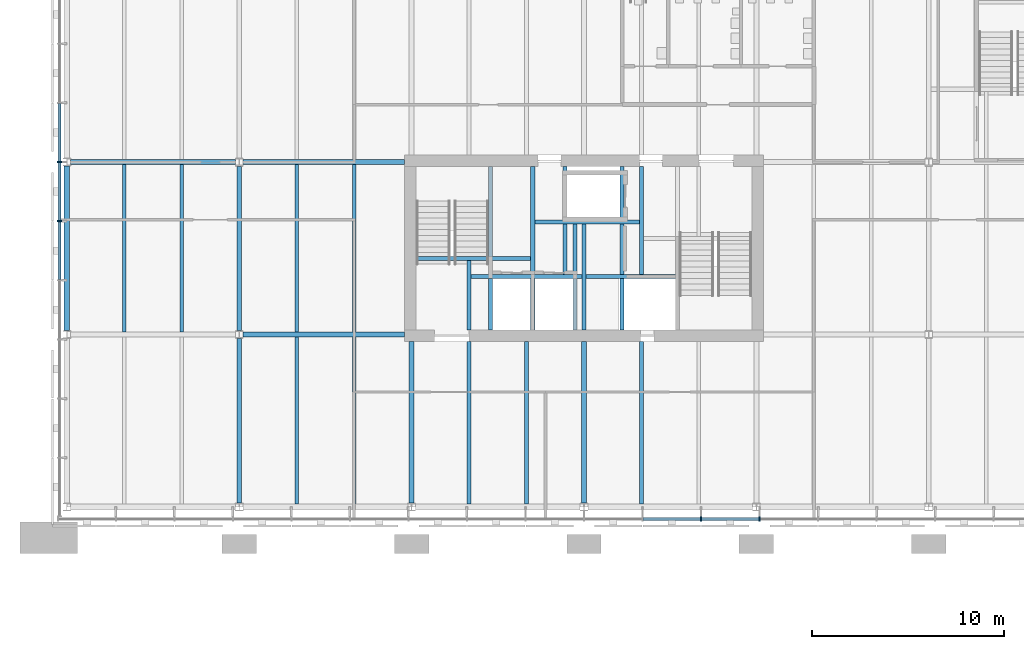
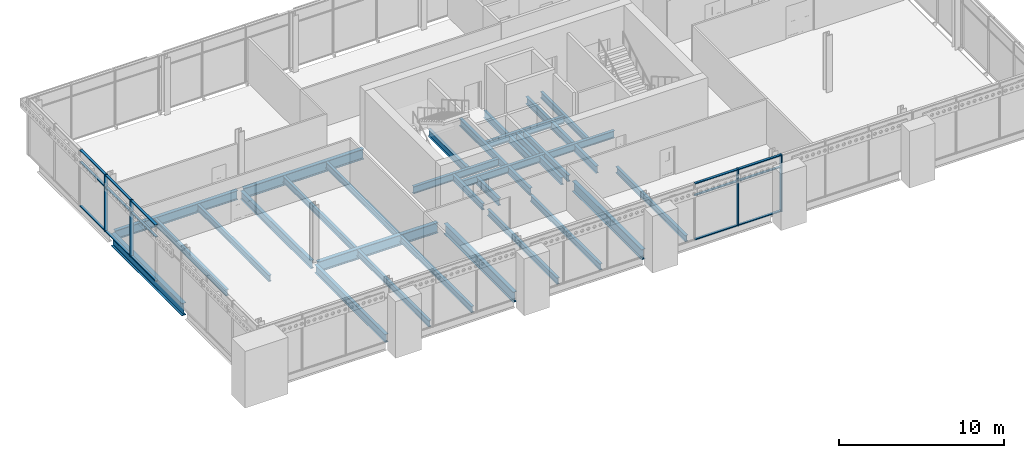
# One storey, part 31 of 123: 35 beams, 19 members, 2 elements without a shape of their own.
"""IFC4 building model written with IfcOpenShell, lengths in metres."""

from ifc_helpers import new_model, si_unit, direction, frame, origin, origin_2d, place, context, subcontext, project, spatial, rectangle, i_section, extrude, material, material_profile, profile_set, type_object, element, aggregate, save


model = new_model("IFC4")

# Units and contexts
model_context = context("Model", 3, precision=1e-05, world=origin(), true_north=direction((0.0, 1.0)))
body_context = subcontext(model_context, "Body", "Model", "MODEL_VIEW")
ifc_project = project(units=[si_unit("LENGTHUNIT", "METRE"), si_unit("AREAUNIT", "SQUARE_METRE"), si_unit("VOLUMEUNIT", "CUBIC_METRE"), si_unit("PLANEANGLEUNIT", "RADIAN"), si_unit("MASSUNIT", "GRAM", prefix="KILO")], contexts=[model_context])

# Site, building, storey
site_placement = place(None, origin())
site = spatial("IfcSite", under=ifc_project, at=site_placement, CompositionType="ELEMENT")
building_placement = place(site_placement, origin())
building = spatial("IfcBuilding", under=site, at=building_placement, Name="Baradari Gate Terminus", CompositionType="ELEMENT")
storey_placement = place(building_placement, frame((0.0, 0.0, 7.5)))
storey = spatial("IfcBuildingStorey", under=building, at=storey_placement, Name="L01", CompositionType="ELEMENT", Elevation=7.5)

# Beams
ifc_material_1 = material(Name="Steel S355", Category="steel")
ifc_material_profile_1 = material_profile(ifc_material_1, i_section(OverallWidth=0.19140625, OverallDepth=0.4599609375, WebThickness=0.010009765625, FlangeThickness=0.01611328125, FilletRadius=0.01025390625, at=origin_2d()), Name="UB 457x191x82")
ifc_profile_set_1 = profile_set([ifc_material_profile_1], Name="Steel S355")
beam_type_1 = type_object("IfcBeamType", Name="Core floor beam B23 UB 457x191x82", PredefinedType="BEAM", material=ifc_profile_set_1)
beam_1_placement = place(storey_placement, frame((30.0, 126.22509765625, -0.360107421875), z_axis=(0.0, 1.0, 0.0), x_axis=(-1.0, 0.0, 0.0)))
element("IfcBeam", 1, at=beam_1_placement, inside=storey, type_object=beam_type_1, Name="Core floor beam B23 30:126.225-129.87 L01", PredefinedType="BEAM", context=body_context, shape_type="SweptSolid", body=[
    extrude(i_section(OverallWidth=0.19140625, OverallDepth=0.4599609375, WebThickness=0.010009765625, FlangeThickness=0.01611328125, FilletRadius=0.01025390625, at=origin_2d()), origin(), (0.0, 0.0, 1.0), 3.645263671875),
])
beam_2_placement = place(storey_placement, frame((36.0, 126.22509765625, -0.360107421875), z_axis=(0.0, 1.0, 0.0), x_axis=(-1.0, 0.0, 0.0)))
element("IfcBeam", 2, at=beam_2_placement, inside=storey, type_object=beam_type_1, Name="Core floor beam B23 5:126.225-131.77 L01", PredefinedType="BEAM", context=body_context, shape_type="SweptSolid", body=[
    extrude(i_section(OverallWidth=0.19140625, OverallDepth=0.4599609375, WebThickness=0.010009765625, FlangeThickness=0.01611328125, FilletRadius=0.01025390625, at=origin_2d()), origin(), (0.0, 0.0, 1.0), 5.54541015625),
])
beam_3_placement = place(storey_placement, frame((39.0, 129.129638671875, -0.360107421875), z_axis=(0.0, 1.0, 0.0), x_axis=(-1.0, 0.0, 0.0)))
element("IfcBeam", 3, at=beam_3_placement, inside=storey, type_object=beam_type_1, Name="Core floor beam B23 39:129.13-134.775 L01", PredefinedType="BEAM", context=body_context, shape_type="SweptSolid", body=[
    extrude(i_section(OverallWidth=0.19140625, OverallDepth=0.4599609375, WebThickness=0.010009765625, FlangeThickness=0.01611328125, FilletRadius=0.01025390625, at=origin_2d()), origin(), (0.0, 0.0, 1.0), 5.645263671875),
])
ifc_material_2 = material(Name="Steel S355", Category="steel")
ifc_material_profile_2 = material_profile(ifc_material_2, i_section(OverallWidth=0.209228515625, OverallDepth=0.533203125, WebThickness=0.010009765625, FlangeThickness=0.015625, FilletRadius=0.0126953125, at=origin_2d()), Name="UB 533x210x92")
ifc_profile_set_2 = profile_set([ifc_material_profile_2], Name="Steel S355")
beam_type_2 = type_object("IfcBeamType", Name="Core floor trimmer beam B22 UB 533x210x92", PredefinedType="BEAM", material=ifc_profile_set_2)
beam_4_placement = place(storey_placement, frame((30.095703125, 129.02490234375, -0.396484375), z_axis=(1.0, 0.0, 0.0), x_axis=(0.0, 1.0, 0.0)))
element("IfcBeam", 4, at=beam_4_placement, inside=storey, type_object=beam_type_2, Name="Core floor trimmer beam B22 129.025:30.096-35.904 L01", PredefinedType="BEAM", context=body_context, shape_type="SweptSolid", body=[
    extrude(i_section(OverallWidth=0.209228515625, OverallDepth=0.533203125, WebThickness=0.010009765625, FlangeThickness=0.015625, FilletRadius=0.0126953125, at=origin_2d()), origin(), (0.0, 0.0, 1.0), 5.80859375),
])
beam_5_placement = place(storey_placement, frame((36.095703125, 129.02490234375, -0.396484375), z_axis=(1.0, 0.0, 0.0), x_axis=(0.0, 1.0, 0.0)))
element("IfcBeam", 5, at=beam_5_placement, inside=storey, type_object=beam_type_2, Name="Core floor trimmer beam B22 129.025:36.096-40.77 L01", PredefinedType="BEAM", context=body_context, shape_type="SweptSolid", body=[
    extrude(i_section(OverallWidth=0.209228515625, OverallDepth=0.533203125, WebThickness=0.010009765625, FlangeThickness=0.015625, FilletRadius=0.0126953125, at=origin_2d()), origin(), (0.0, 0.0, 1.0), 4.6748046875),
])
beam_6_placement = place(storey_placement, frame((27.22509765625, 129.97509765625, -0.396484375), z_axis=(1.0, 0.0, 0.0), x_axis=(0.0, 1.0, 0.0)))
element("IfcBeam", 6, at=beam_6_placement, inside=storey, type_object=beam_type_2, Name="Core floor trimmer beam B22 129.975:27.225-33.22 L01", PredefinedType="BEAM", context=body_context, shape_type="SweptSolid", body=[
    extrude(i_section(OverallWidth=0.209228515625, OverallDepth=0.533203125, WebThickness=0.010009765625, FlangeThickness=0.015625, FilletRadius=0.0126953125, at=origin_2d()), origin(), (0.0, 0.0, 1.0), 5.995361328125),
])
beam_7_placement = place(storey_placement, frame((33.4296875, 131.875, -0.396484375), z_axis=(1.0, 0.0, 0.0), x_axis=(0.0, 1.0, 0.0)))
element("IfcBeam", 7, at=beam_7_placement, inside=storey, type_object=beam_type_2, Name="Core floor trimmer beam B22 131.875:33.43-38.904 L01", PredefinedType="BEAM", context=body_context, shape_type="SweptSolid", body=[
    extrude(i_section(OverallWidth=0.209228515625, OverallDepth=0.533203125, WebThickness=0.010009765625, FlangeThickness=0.015625, FilletRadius=0.0126953125, at=origin_2d()), origin(), (0.0, 0.0, 1.0), 5.474609375),
])
for number, where, z_axis, x_axis, name in (
    (8, (31.125, 126.22509765625, -0.396484375), (0.0, 1.0, 0.0), (-1.0, 0.0, 0.0), "Core floor trimmer beam B22 31.125:126.225-128.92 L01"),
    (9, (33.324951171875, 126.22509765625, -0.396484375), (0.0, 1.0, 0.0), (-1.0, 0.0, 0.0), "Core floor trimmer beam B22 33.325:126.225-128.92 L01"),
):
    element("IfcBeam", number, at=place(storey_placement, frame(where, z_axis=z_axis, x_axis=x_axis)), inside=storey, type_object=beam_type_2, Name=name, PredefinedType="BEAM", context=body_context, shape_type="SweptSolid", body=[
        extrude(i_section(OverallWidth=0.209228515625, OverallDepth=0.533203125, WebThickness=0.010009765625, FlangeThickness=0.015625, FilletRadius=0.0126953125, at=origin_2d()), origin(), (0.0, 0.0, 1.0), 2.6953125),
    ])
beam_8_placement = place(storey_placement, frame((33.324951171875, 129.129638671875, -0.396484375), z_axis=(0.0, 1.0, 0.0), x_axis=(-1.0, 0.0, 0.0)))
element("IfcBeam", 10, at=beam_8_placement, inside=storey, type_object=beam_type_2, Name="Core floor trimmer beam B22 33.325:129.13-134.775 L01", PredefinedType="BEAM", context=body_context, shape_type="SweptSolid", body=[
    extrude(i_section(OverallWidth=0.209228515625, OverallDepth=0.533203125, WebThickness=0.010009765625, FlangeThickness=0.015625, FilletRadius=0.0126953125, at=origin_2d()), origin(), (0.0, 0.0, 1.0), 5.645263671875),
])
beam_9_placement = place(storey_placement, frame((35.530029296875, 126.22509765625, -0.396484375), z_axis=(0.0, 1.0, 0.0), x_axis=(-1.0, 0.0, 0.0)))
element("IfcBeam", 11, at=beam_9_placement, inside=storey, type_object=beam_type_2, Name="Core floor trimmer beam B22 35.53:126.225-128.92 L01", PredefinedType="BEAM", context=body_context, shape_type="SweptSolid", body=[
    extrude(i_section(OverallWidth=0.209228515625, OverallDepth=0.533203125, WebThickness=0.010009765625, FlangeThickness=0.015625, FilletRadius=0.0126953125, at=origin_2d()), origin(), (0.0, 0.0, 1.0), 2.6953125),
])
beam_10_placement = place(storey_placement, frame((35.530029296875, 129.129638671875, -0.396484375), z_axis=(0.0, 1.0, 0.0), x_axis=(-1.0, 0.0, 0.0)))
element("IfcBeam", 12, at=beam_10_placement, inside=storey, type_object=beam_type_2, Name="Core floor trimmer beam B22 35.53:129.13-131.77 L01", PredefinedType="BEAM", context=body_context, shape_type="SweptSolid", body=[
    extrude(i_section(OverallWidth=0.209228515625, OverallDepth=0.533203125, WebThickness=0.010009765625, FlangeThickness=0.015625, FilletRadius=0.0126953125, at=origin_2d()), origin(), (0.0, 0.0, 1.0), 2.640869140625),
])
beam_11_placement = place(storey_placement, frame((37.97802734375, 126.22509765625, -0.396484375), z_axis=(0.0, 1.0, 0.0), x_axis=(-1.0, 0.0, 0.0)))
element("IfcBeam", 13, at=beam_11_placement, inside=storey, type_object=beam_type_2, Name="Core floor trimmer beam B22 37.978:126.225-128.92 L01", PredefinedType="BEAM", context=body_context, shape_type="SweptSolid", body=[
    extrude(i_section(OverallWidth=0.209228515625, OverallDepth=0.533203125, WebThickness=0.010009765625, FlangeThickness=0.015625, FilletRadius=0.0126953125, at=origin_2d()), origin(), (0.0, 0.0, 1.0), 2.6953125),
])
beam_12_placement = place(storey_placement, frame((31.125, 130.07958984375, -0.396484375), z_axis=(0.0, 1.0, 0.0), x_axis=(-1.0, 0.0, 0.0)))
element("IfcBeam", 14, at=beam_12_placement, inside=storey, type_object=beam_type_2, Name="Core floor trimmer beam B22 31.125:130.08-134.775 L01", PredefinedType="BEAM", context=body_context, shape_type="SweptSolid", body=[
    extrude(i_section(OverallWidth=0.209228515625, OverallDepth=0.533203125, WebThickness=0.010009765625, FlangeThickness=0.015625, FilletRadius=0.0126953125, at=origin_2d()), origin(), (0.0, 0.0, 1.0), 4.6953125),
])
beam_13_placement = place(storey_placement, frame((35.02001953125, 129.129638671875, -0.396484375), z_axis=(0.0, 1.0, 0.0), x_axis=(-1.0, 0.0, 0.0)))
element("IfcBeam", 15, at=beam_13_placement, inside=storey, type_object=beam_type_2, Name="Core floor trimmer beam B22 35.02:129.13-131.77 L01", PredefinedType="BEAM", context=body_context, shape_type="SweptSolid", body=[
    extrude(i_section(OverallWidth=0.209228515625, OverallDepth=0.533203125, WebThickness=0.010009765625, FlangeThickness=0.015625, FilletRadius=0.0126953125, at=origin_2d()), origin(), (0.0, 0.0, 1.0), 2.640869140625),
])
beam_14_placement = place(storey_placement, frame((35.02001953125, 131.9794921875, -0.396484375), z_axis=(0.0, 1.0, 0.0), x_axis=(-1.0, 0.0, 0.0)))
element("IfcBeam", 16, at=beam_14_placement, inside=storey, type_object=beam_type_2, Name="Core floor trimmer beam B22 35.02:131.98-134.775 L01", PredefinedType="BEAM", context=body_context, shape_type="SweptSolid", body=[
    extrude(i_section(OverallWidth=0.209228515625, OverallDepth=0.533203125, WebThickness=0.010009765625, FlangeThickness=0.015625, FilletRadius=0.0126953125, at=origin_2d()), origin(), (0.0, 0.0, 1.0), 2.79541015625),
])
beam_15_placement = place(storey_placement, frame((37.97802734375, 129.129638671875, -0.396484375), z_axis=(0.0, 1.0, 0.0), x_axis=(-1.0, 0.0, 0.0)))
element("IfcBeam", 17, at=beam_15_placement, inside=storey, type_object=beam_type_2, Name="Core floor trimmer beam B22 37.978:129.13-131.77 L01", PredefinedType="BEAM", context=body_context, shape_type="SweptSolid", body=[
    extrude(i_section(OverallWidth=0.209228515625, OverallDepth=0.533203125, WebThickness=0.010009765625, FlangeThickness=0.015625, FilletRadius=0.0126953125, at=origin_2d()), origin(), (0.0, 0.0, 1.0), 2.640869140625),
])
beam_16_placement = place(storey_placement, frame((37.97802734375, 131.9794921875, -0.396484375), z_axis=(0.0, 1.0, 0.0), x_axis=(-1.0, 0.0, 0.0)))
element("IfcBeam", 18, at=beam_16_placement, inside=storey, type_object=beam_type_2, Name="Core floor trimmer beam B22 37.978:131.98-134.775 L01", PredefinedType="BEAM", context=body_context, shape_type="SweptSolid", body=[
    extrude(i_section(OverallWidth=0.209228515625, OverallDepth=0.533203125, WebThickness=0.010009765625, FlangeThickness=0.015625, FilletRadius=0.0126953125, at=origin_2d()), origin(), (0.0, 0.0, 1.0), 2.79541015625),
])

# Curtain wall, members
ifc_material_3 = material(Name="Aluminium 6063-T6", Category="aluminium")
curtain_wall_type = type_object("IfcCurtainWallType", Name="Curtain wall CW-9 block gallery storey", PredefinedType="NOTDEFINED", material=ifc_material_3)
curtain_wall_1_placement = place(storey_placement, origin())
curtain_wall_1 = element("IfcCurtainWall", 19, at=curtain_wall_1_placement, inside=storey, type_object=curtain_wall_type, Name="Curtain wall CW-9 Operations block S face L01", PredefinedType="NOTDEFINED")
ifc_material_4 = material(Name="Aluminium 6063-T6", Category="aluminium")
ifc_material_profile_3 = material_profile(ifc_material_4, rectangle(XDim=0.22509765625, YDim=0.070068359375, at=origin_2d()), Name="CM-9 70X225")
ifc_profile_set_3 = profile_set([ifc_material_profile_3], Name="Aluminium 6063-T6")
member_type_1 = type_object("IfcMemberType", Name="Curtain wall mullion CM-9 70x225", PredefinedType="MULLION", material=ifc_profile_set_3)
member_1_placement = place(storey_placement, frame((42.110107421875, 116.367431640625, 0.0), z_axis=(0.0, 0.0, 1.0), x_axis=(0.0, 1.0, 0.0)))
member_1 = element("IfcMember", 20, at=member_1_placement, type_object=member_type_1, Name="CW-9 mullion 12", PredefinedType="MULLION", context=body_context, shape_type="SweptSolid", body=[
    extrude(rectangle(XDim=0.22509765625, YDim=0.070068359375, at=origin_2d()), origin(), (0.0, 0.0, 1.0), 4.199951171875),
])
member_2_placement = place(storey_placement, frame((45.1650390625, 116.367431640625, 0.0), z_axis=(0.0, 0.0, 1.0), x_axis=(0.0, 1.0, 0.0)))
member_2 = element("IfcMember", 21, at=member_2_placement, type_object=member_type_1, Name="CW-9 mullion 13", PredefinedType="MULLION", context=body_context, shape_type="SweptSolid", body=[
    extrude(rectangle(XDim=0.22509765625, YDim=0.070068359375, at=origin_2d()), origin(), (0.0, 0.0, 1.0), 4.199951171875),
])

curtain_wall_2_placement = place(storey_placement, origin())
curtain_wall_2 = element("IfcCurtainWall", 22, at=curtain_wall_2_placement, inside=storey, type_object=curtain_wall_type, Name="Curtain wall CW-9 Operations block W face L01", PredefinedType="NOTDEFINED")
member_3_placement = place(storey_placement, frame((8.617431640625, 131.9189453125, 0.0), z_axis=(0.0, 0.0, 1.0), x_axis=(-1.0, 0.0, 0.0)))
member_3 = element("IfcMember", 23, at=member_3_placement, type_object=member_type_1, Name="CW-9 mullion 6", PredefinedType="MULLION", context=body_context, shape_type="SweptSolid", body=[
    extrude(rectangle(XDim=0.22509765625, YDim=0.070068359375, at=origin_2d()), origin(), (0.0, 0.0, 1.0), 4.199951171875),
])
member_4_placement = place(storey_placement, frame((8.617431640625, 135.006591796875, 0.0), z_axis=(0.0, 0.0, 1.0), x_axis=(-1.0, 0.0, 0.0)))
member_4 = element("IfcMember", 24, at=member_4_placement, type_object=member_type_1, Name="CW-9 mullion 7", PredefinedType="MULLION", context=body_context, shape_type="SweptSolid", body=[
    extrude(rectangle(XDim=0.22509765625, YDim=0.070068359375, at=origin_2d()), origin(), (0.0, 0.0, 1.0), 4.199951171875),
])

# Member
ifc_material_5 = material(Name="Aluminium 6063-T6", Category="aluminium")
ifc_material_profile_4 = material_profile(ifc_material_5, rectangle(XDim=0.1650390625, YDim=0.070068359375, at=origin_2d()), Name="CT-9 70X165")
ifc_profile_set_4 = profile_set([ifc_material_profile_4], Name="Aluminium 6063-T6")
member_type_2 = type_object("IfcMemberType", Name="Curtain wall transom CT-9 70x165", PredefinedType="USERDEFINED", material=ifc_profile_set_4)
member_5_placement = place(storey_placement, frame((39.090087890625, 116.367431640625, 0.034912109375), z_axis=(1.0, 0.0, 0.0), x_axis=(0.0, 1.0, 0.0)))
member_5 = element("IfcMember", 25, at=member_5_placement, type_object=member_type_2, Name="CW-9 transom 11.1", ObjectType="TRANSOM", PredefinedType="USERDEFINED", context=body_context, shape_type="SweptSolid", body=[
    extrude(rectangle(XDim=0.1650390625, YDim=0.070068359375, at=origin_2d()), origin(), (0.0, 0.0, 1.0), 2.98486328125),
])

member_6_placement = place(storey_placement, frame((39.090087890625, 116.367431640625, 3.300048828125), z_axis=(1.0, 0.0, 0.0), x_axis=(0.0, 1.0, 0.0)))
member_6 = element("IfcMember", 26, at=member_6_placement, type_object=member_type_2, Name="CW-9 transom 11.2", ObjectType="TRANSOM", PredefinedType="USERDEFINED", context=body_context, shape_type="SweptSolid", body=[
    extrude(rectangle(XDim=0.1650390625, YDim=0.070068359375, at=origin_2d()), origin(), (0.0, 0.0, 1.0), 2.98486328125),
])

member_7_placement = place(storey_placement, frame((39.090087890625, 116.367431640625, 4.1650390625), z_axis=(1.0, 0.0, 0.0), x_axis=(0.0, 1.0, 0.0)))
member_7 = element("IfcMember", 27, at=member_7_placement, type_object=member_type_2, Name="CW-9 transom 11.3", ObjectType="TRANSOM", PredefinedType="USERDEFINED", context=body_context, shape_type="SweptSolid", body=[
    extrude(rectangle(XDim=0.1650390625, YDim=0.070068359375, at=origin_2d()), origin(), (0.0, 0.0, 1.0), 2.98486328125),
])

member_8_placement = place(storey_placement, frame((42.14501953125, 116.367431640625, 0.034912109375), z_axis=(1.0, 0.0, 0.0), x_axis=(0.0, 1.0, 0.0)))
member_8 = element("IfcMember", 28, at=member_8_placement, type_object=member_type_2, Name="CW-9 transom 12.1", ObjectType="TRANSOM", PredefinedType="USERDEFINED", context=body_context, shape_type="SweptSolid", body=[
    extrude(rectangle(XDim=0.1650390625, YDim=0.070068359375, at=origin_2d()), origin(), (0.0, 0.0, 1.0), 2.98486328125),
])

member_9_placement = place(storey_placement, frame((42.14501953125, 116.367431640625, 3.300048828125), z_axis=(1.0, 0.0, 0.0), x_axis=(0.0, 1.0, 0.0)))
member_9 = element("IfcMember", 29, at=member_9_placement, type_object=member_type_2, Name="CW-9 transom 12.2", ObjectType="TRANSOM", PredefinedType="USERDEFINED", context=body_context, shape_type="SweptSolid", body=[
    extrude(rectangle(XDim=0.1650390625, YDim=0.070068359375, at=origin_2d()), origin(), (0.0, 0.0, 1.0), 2.98486328125),
])

member_10_placement = place(storey_placement, frame((42.14501953125, 116.367431640625, 4.1650390625), z_axis=(1.0, 0.0, 0.0), x_axis=(0.0, 1.0, 0.0)))
member_10 = element("IfcMember", 30, at=member_10_placement, type_object=member_type_2, Name="CW-9 transom 12.3", ObjectType="TRANSOM", PredefinedType="USERDEFINED", context=body_context, shape_type="SweptSolid", body=[
    extrude(rectangle(XDim=0.1650390625, YDim=0.070068359375, at=origin_2d()), origin(), (0.0, 0.0, 1.0), 2.98486328125),
])

aggregate(curtain_wall_1, [member_1, member_2, member_5, member_6, member_7, member_8, member_9, member_10])

member_11_placement = place(storey_placement, frame((8.617431640625, 128.8662109375, 0.034912109375), z_axis=(0.0, 1.0, 0.0), x_axis=(-1.0, 0.0, 0.0)))
member_11 = element("IfcMember", 31, at=member_11_placement, type_object=member_type_2, Name="CW-9 transom 5.1", ObjectType="TRANSOM", PredefinedType="USERDEFINED", context=body_context, shape_type="SweptSolid", body=[
    extrude(rectangle(XDim=0.1650390625, YDim=0.070068359375, at=origin_2d()), origin(), (0.0, 0.0, 1.0), 3.017578125),
])

member_12_placement = place(storey_placement, frame((8.617431640625, 128.8662109375, 3.300048828125), z_axis=(0.0, 1.0, 0.0), x_axis=(-1.0, 0.0, 0.0)))
member_12 = element("IfcMember", 32, at=member_12_placement, type_object=member_type_2, Name="CW-9 transom 5.2", ObjectType="TRANSOM", PredefinedType="USERDEFINED", context=body_context, shape_type="SweptSolid", body=[
    extrude(rectangle(XDim=0.1650390625, YDim=0.070068359375, at=origin_2d()), origin(), (0.0, 0.0, 1.0), 3.017578125),
])

member_13_placement = place(storey_placement, frame((8.617431640625, 128.8662109375, 4.1650390625), z_axis=(0.0, 1.0, 0.0), x_axis=(-1.0, 0.0, 0.0)))
member_13 = element("IfcMember", 33, at=member_13_placement, type_object=member_type_2, Name="CW-9 transom 5.3", ObjectType="TRANSOM", PredefinedType="USERDEFINED", context=body_context, shape_type="SweptSolid", body=[
    extrude(rectangle(XDim=0.1650390625, YDim=0.070068359375, at=origin_2d()), origin(), (0.0, 0.0, 1.0), 3.017578125),
])

member_14_placement = place(storey_placement, frame((8.617431640625, 131.953857421875, 0.034912109375), z_axis=(0.0, 1.0, 0.0), x_axis=(-1.0, 0.0, 0.0)))
member_14 = element("IfcMember", 34, at=member_14_placement, type_object=member_type_2, Name="CW-9 transom 6.1", ObjectType="TRANSOM", PredefinedType="USERDEFINED", context=body_context, shape_type="SweptSolid", body=[
    extrude(rectangle(XDim=0.1650390625, YDim=0.070068359375, at=origin_2d()), origin(), (0.0, 0.0, 1.0), 3.017822265625),
])

member_15_placement = place(storey_placement, frame((8.617431640625, 131.953857421875, 3.300048828125), z_axis=(0.0, 1.0, 0.0), x_axis=(-1.0, 0.0, 0.0)))
member_15 = element("IfcMember", 35, at=member_15_placement, type_object=member_type_2, Name="CW-9 transom 6.2", ObjectType="TRANSOM", PredefinedType="USERDEFINED", context=body_context, shape_type="SweptSolid", body=[
    extrude(rectangle(XDim=0.1650390625, YDim=0.070068359375, at=origin_2d()), origin(), (0.0, 0.0, 1.0), 3.017822265625),
])

member_16_placement = place(storey_placement, frame((8.617431640625, 131.953857421875, 4.1650390625), z_axis=(0.0, 1.0, 0.0), x_axis=(-1.0, 0.0, 0.0)))
member_16 = element("IfcMember", 36, at=member_16_placement, type_object=member_type_2, Name="CW-9 transom 6.3", ObjectType="TRANSOM", PredefinedType="USERDEFINED", context=body_context, shape_type="SweptSolid", body=[
    extrude(rectangle(XDim=0.1650390625, YDim=0.070068359375, at=origin_2d()), origin(), (0.0, 0.0, 1.0), 3.017822265625),
])

member_17_placement = place(storey_placement, frame((8.617431640625, 135.041748046875, 0.034912109375), z_axis=(0.0, 1.0, 0.0), x_axis=(-1.0, 0.0, 0.0)))
member_17 = element("IfcMember", 37, at=member_17_placement, type_object=member_type_2, Name="CW-9 transom 7.1", ObjectType="TRANSOM", PredefinedType="USERDEFINED", context=body_context, shape_type="SweptSolid", body=[
    extrude(rectangle(XDim=0.1650390625, YDim=0.070068359375, at=origin_2d()), origin(), (0.0, 0.0, 1.0), 3.017578125),
])

member_18_placement = place(storey_placement, frame((8.617431640625, 135.041748046875, 3.300048828125), z_axis=(0.0, 1.0, 0.0), x_axis=(-1.0, 0.0, 0.0)))
member_18 = element("IfcMember", 38, at=member_18_placement, type_object=member_type_2, Name="CW-9 transom 7.2", ObjectType="TRANSOM", PredefinedType="USERDEFINED", context=body_context, shape_type="SweptSolid", body=[
    extrude(rectangle(XDim=0.1650390625, YDim=0.070068359375, at=origin_2d()), origin(), (0.0, 0.0, 1.0), 3.017578125),
])

member_19_placement = place(storey_placement, frame((8.617431640625, 135.041748046875, 4.1650390625), z_axis=(0.0, 1.0, 0.0), x_axis=(-1.0, 0.0, 0.0)))
member_19 = element("IfcMember", 39, at=member_19_placement, type_object=member_type_2, Name="CW-9 transom 7.3", ObjectType="TRANSOM", PredefinedType="USERDEFINED", context=body_context, shape_type="SweptSolid", body=[
    extrude(rectangle(XDim=0.1650390625, YDim=0.070068359375, at=origin_2d()), origin(), (0.0, 0.0, 1.0), 3.017578125),
])

aggregate(curtain_wall_2, [member_3, member_4, member_11, member_12, member_13, member_14, member_15, member_16, member_17, member_18, member_19])

# Beams
ifc_material_6 = material(Name="Steel S355", Category="steel")
ifc_material_profile_5 = material_profile(ifc_material_6, i_section(OverallWidth=0.26806640625, OverallDepth=0.769775390625, WebThickness=0.015625, FlangeThickness=0.025390625, FilletRadius=0.0166015625, at=origin_2d()), Name="UB 762x267x197")
ifc_profile_set_5 = profile_set([ifc_material_profile_5], Name="Steel S355")
beam_type_3 = type_object("IfcBeamType", Name="Operations block coupling beam B03 UB 762x267x197", PredefinedType="BEAM", material=ifc_profile_set_5)
for number, where, z_axis, x_axis, name in (
    (40, (18.2060546875, 126.0, -0.514892578125), (1.0, 0.0, 0.0), (0.0, 1.0, 0.0), "Operations block coupling beam B03 Q:18.206-26.625 L01"),
    (41, (18.2060546875, 135.0, -0.514892578125), (1.0, 0.0, 0.0), (0.0, 1.0, 0.0), "Operations block coupling beam B03 R:18.206-26.625 L01"),
):
    element("IfcBeam", number, at=place(storey_placement, frame(where, z_axis=z_axis, x_axis=x_axis)), inside=storey, type_object=beam_type_3, Name=name, PredefinedType="BEAM", context=body_context, shape_type="SweptSolid", body=[
        extrude(i_section(OverallWidth=0.26806640625, OverallDepth=0.769775390625, WebThickness=0.015625, FlangeThickness=0.025390625, FilletRadius=0.0166015625, at=origin_2d()), origin(), (0.0, 0.0, 1.0), 8.4189453125),
    ])
for number, where, z_axis, x_axis, name in (
    (42, (27.0, 117.19677734375, -0.514892578125), (0.0, 1.0, 0.0), (-1.0, 0.0, 0.0), "Operations block coupling beam B03 4:117.197-125.625 L01"),
    (43, (36.0, 117.19677734375, -0.514892578125), (0.0, 1.0, 0.0), (-1.0, 0.0, 0.0), "Operations block coupling beam B03 5:117.197-125.625 L01"),
):
    element("IfcBeam", number, at=place(storey_placement, frame(where, z_axis=z_axis, x_axis=x_axis)), inside=storey, type_object=beam_type_3, Name=name, PredefinedType="BEAM", context=body_context, shape_type="SweptSolid", body=[
        extrude(i_section(OverallWidth=0.26806640625, OverallDepth=0.769775390625, WebThickness=0.015625, FlangeThickness=0.025390625, FilletRadius=0.0166015625, at=origin_2d()), origin(), (0.0, 0.0, 1.0), 8.42822265625),
    ])
ifc_material_7 = material(Name="Steel S355", Category="steel")
ifc_material_profile_6 = material_profile(ifc_material_7, i_section(OverallWidth=0.2529296875, OverallDepth=0.677978515625, WebThickness=0.01171875, FlangeThickness=0.01611328125, FilletRadius=0.01513671875, at=origin_2d()), Name="UB 686x254x125")
ifc_profile_set_6 = profile_set([ifc_material_profile_6], Name="Steel S355")
beam_type_4 = type_object("IfcBeamType", Name="Operations block girder B02 UB 686x254x125", PredefinedType="BEAM", material=ifc_profile_set_6)
beam_17_placement = place(storey_placement, frame((9.199462890625, 135.0, -0.468994140625), z_axis=(1.0, 0.0, 0.0), x_axis=(0.0, 1.0, 0.0)))
element("IfcBeam", 44, at=beam_17_placement, inside=storey, type_object=beam_type_4, Name="Operations block girder B02 R:9.2-17.794 L01", PredefinedType="BEAM", context=body_context, shape_type="SweptSolid", body=[
    extrude(i_section(OverallWidth=0.2529296875, OverallDepth=0.677978515625, WebThickness=0.01171875, FlangeThickness=0.01611328125, FilletRadius=0.01513671875, at=origin_2d()), origin(), (0.0, 0.0, 1.0), 8.594482421875),
])
ifc_material_8 = material(Name="Steel S355", Category="steel")
ifc_material_profile_7 = material_profile(ifc_material_8, i_section(OverallWidth=0.2275390625, OverallDepth=0.6025390625, WebThickness=0.010498046875, FlangeThickness=0.014892578125, FilletRadius=0.0126953125, at=origin_2d()), Name="UB 610x229x101")
ifc_profile_set_7 = profile_set([ifc_material_profile_7], Name="Steel S355")
beam_type_5 = type_object("IfcBeamType", Name="Operations block girder B06 UB 610x229x101", PredefinedType="BEAM", material=ifc_profile_set_7)
beam_18_placement = place(storey_placement, frame((18.0, 117.19677734375, -0.431396484375), z_axis=(0.0, 1.0, 0.0), x_axis=(-1.0, 0.0, 0.0)))
element("IfcBeam", 45, at=beam_18_placement, inside=storey, type_object=beam_type_5, Name="Operations block girder B06 3:117.197-125.782 L01", PredefinedType="BEAM", context=body_context, shape_type="SweptSolid", body=[
    extrude(i_section(OverallWidth=0.2275390625, OverallDepth=0.6025390625, WebThickness=0.010498046875, FlangeThickness=0.014892578125, FilletRadius=0.0126953125, at=origin_2d()), origin(), (0.0, 0.0, 1.0), 8.5849609375),
])
beam_19_placement = place(storey_placement, frame((18.0, 126.21826171875, -0.431396484375), z_axis=(0.0, 1.0, 0.0), x_axis=(-1.0, 0.0, 0.0)))
element("IfcBeam", 46, at=beam_19_placement, inside=storey, type_object=beam_type_5, Name="Operations block girder B06 3:126.218-134.782 L01", PredefinedType="BEAM", context=body_context, shape_type="SweptSolid", body=[
    extrude(i_section(OverallWidth=0.2275390625, OverallDepth=0.6025390625, WebThickness=0.010498046875, FlangeThickness=0.014892578125, FilletRadius=0.0126953125, at=origin_2d()), origin(), (0.0, 0.0, 1.0), 8.5634765625),
])
ifc_material_9 = material(Name="Steel S355", Category="steel")
ifc_material_profile_8 = material_profile(ifc_material_9, i_section(OverallWidth=0.30419921875, OverallDepth=0.910400390625, WebThickness=0.015869140625, FlangeThickness=0.02392578125, FilletRadius=0.01904296875, at=origin_2d()), Name="UB 914x305x224")
ifc_profile_set_8 = profile_set([ifc_material_profile_8], Name="Steel S355")
beam_type_6 = type_object("IfcBeamType", Name="Operations block moment frame beam B01 UB 914x305x224", PredefinedType="BEAM", material=ifc_profile_set_8)
beam_20_placement = place(storey_placement, frame((9.0, 126.19677734375, -0.585205078125), z_axis=(0.0, 1.0, 0.0), x_axis=(-1.0, 0.0, 0.0)))
element("IfcBeam", 47, at=beam_20_placement, inside=storey, type_object=beam_type_6, Name="Operations block moment frame beam B01 2:126.197-134.803 L01", PredefinedType="BEAM", context=body_context, shape_type="SweptSolid", body=[
    extrude(i_section(OverallWidth=0.30419921875, OverallDepth=0.910400390625, WebThickness=0.015869140625, FlangeThickness=0.02392578125, FilletRadius=0.01904296875, at=origin_2d()), origin(), (0.0, 0.0, 1.0), 8.6064453125),
])
ifc_material_10 = material(Name="Steel S355", Category="steel")
ifc_material_profile_9 = material_profile(ifc_material_10, i_section(OverallWidth=0.19140625, OverallDepth=0.4599609375, WebThickness=0.010009765625, FlangeThickness=0.01611328125, FilletRadius=0.01025390625, at=origin_2d()), Name="UB 457x191x82")
ifc_profile_set_9 = profile_set([ifc_material_profile_9], Name="Steel S355")
beam_type_7 = type_object("IfcBeamType", Name="Operations block secondary beam B05 UB 457x191x82", PredefinedType="BEAM", material=ifc_profile_set_9)
for number, where, z_axis, x_axis, name in (
    (48, (12.0, 126.12646484375, -0.360107421875), (0.0, 1.0, 0.0), (-1.0, 0.0, 0.0), "Operations block secondary beam B05 12:126.126-134.874 L01"),
    (49, (15.0, 126.12646484375, -0.360107421875), (0.0, 1.0, 0.0), (-1.0, 0.0, 0.0), "Operations block secondary beam B05 15:126.126-134.874 L01"),
):
    element("IfcBeam", number, at=place(storey_placement, frame(where, z_axis=z_axis, x_axis=x_axis)), inside=storey, type_object=beam_type_7, Name=name, PredefinedType="BEAM", context=body_context, shape_type="SweptSolid", body=[
        extrude(i_section(OverallWidth=0.19140625, OverallDepth=0.4599609375, WebThickness=0.010009765625, FlangeThickness=0.01611328125, FilletRadius=0.01025390625, at=origin_2d()), origin(), (0.0, 0.0, 1.0), 8.7470703125),
    ])
beam_21_placement = place(storey_placement, frame((21.0, 117.152099609375, -0.360107421875), z_axis=(0.0, 1.0, 0.0), x_axis=(-1.0, 0.0, 0.0)))
element("IfcBeam", 50, at=beam_21_placement, inside=storey, type_object=beam_type_7, Name="Operations block secondary beam B05 21:117.152-125.866 L01", PredefinedType="BEAM", context=body_context, shape_type="SweptSolid", body=[
    extrude(i_section(OverallWidth=0.19140625, OverallDepth=0.4599609375, WebThickness=0.010009765625, FlangeThickness=0.01611328125, FilletRadius=0.01025390625, at=origin_2d()), origin(), (0.0, 0.0, 1.0), 8.7138671875),
])
beam_22_placement = place(storey_placement, frame((21.0, 126.134033203125, -0.360107421875), z_axis=(0.0, 1.0, 0.0), x_axis=(-1.0, 0.0, 0.0)))
element("IfcBeam", 51, at=beam_22_placement, inside=storey, type_object=beam_type_7, Name="Operations block secondary beam B05 21:126.134-134.866 L01", PredefinedType="BEAM", context=body_context, shape_type="SweptSolid", body=[
    extrude(i_section(OverallWidth=0.19140625, OverallDepth=0.4599609375, WebThickness=0.010009765625, FlangeThickness=0.01611328125, FilletRadius=0.01025390625, at=origin_2d()), origin(), (0.0, 0.0, 1.0), 8.73193359375),
])
beam_23_placement = place(storey_placement, frame((24.0, 117.152099609375, -0.360107421875), z_axis=(0.0, 1.0, 0.0), x_axis=(-1.0, 0.0, 0.0)))
element("IfcBeam", 52, at=beam_23_placement, inside=storey, type_object=beam_type_7, Name="Operations block secondary beam B05 24:117.152-125.866 L01", PredefinedType="BEAM", context=body_context, shape_type="SweptSolid", body=[
    extrude(i_section(OverallWidth=0.19140625, OverallDepth=0.4599609375, WebThickness=0.010009765625, FlangeThickness=0.01611328125, FilletRadius=0.01025390625, at=origin_2d()), origin(), (0.0, 0.0, 1.0), 8.7138671875),
])
beam_24_placement = place(storey_placement, frame((24.0, 126.134033203125, -0.360107421875), z_axis=(0.0, 1.0, 0.0), x_axis=(-1.0, 0.0, 0.0)))
element("IfcBeam", 53, at=beam_24_placement, inside=storey, type_object=beam_type_7, Name="Operations block secondary beam B05 24:126.134-134.866 L01", PredefinedType="BEAM", context=body_context, shape_type="SweptSolid", body=[
    extrude(i_section(OverallWidth=0.19140625, OverallDepth=0.4599609375, WebThickness=0.010009765625, FlangeThickness=0.01611328125, FilletRadius=0.01025390625, at=origin_2d()), origin(), (0.0, 0.0, 1.0), 8.73193359375),
])
for number, where, z_axis, x_axis, name in (
    (54, (30.0, 117.152099609375, -0.360107421875), (0.0, 1.0, 0.0), (-1.0, 0.0, 0.0), "Operations block secondary beam B05 30:117.152-125.625 L01"),
    (55, (33.0, 117.152099609375, -0.360107421875), (0.0, 1.0, 0.0), (-1.0, 0.0, 0.0), "Operations block secondary beam B05 33:117.152-125.625 L01"),
    (56, (39.0, 117.152099609375, -0.360107421875), (0.0, 1.0, 0.0), (-1.0, 0.0, 0.0), "Operations block secondary beam B05 39:117.152-125.625 L01"),
):
    element("IfcBeam", number, at=place(storey_placement, frame(where, z_axis=z_axis, x_axis=x_axis)), inside=storey, type_object=beam_type_7, Name=name, PredefinedType="BEAM", context=body_context, shape_type="SweptSolid", body=[
        extrude(i_section(OverallWidth=0.19140625, OverallDepth=0.4599609375, WebThickness=0.010009765625, FlangeThickness=0.01611328125, FilletRadius=0.01025390625, at=origin_2d()), origin(), (0.0, 0.0, 1.0), 8.472900390625),
    ])

save(model, "model.ifc")
